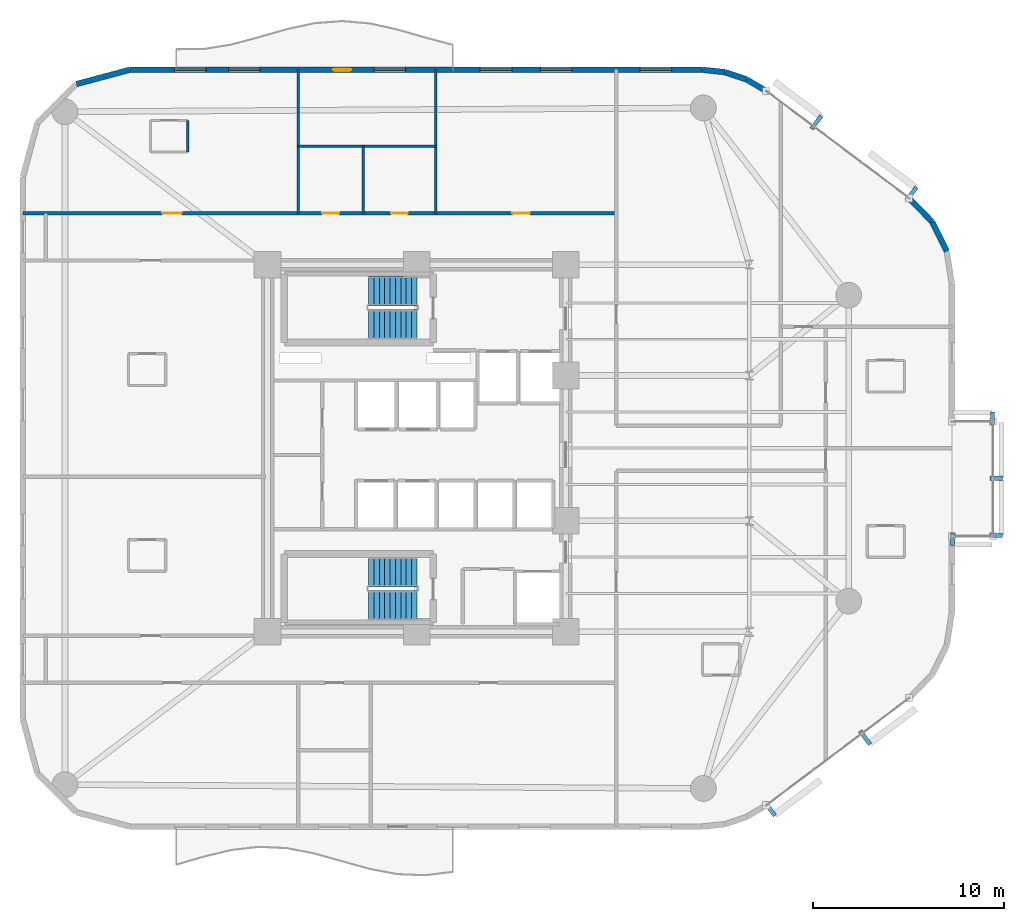
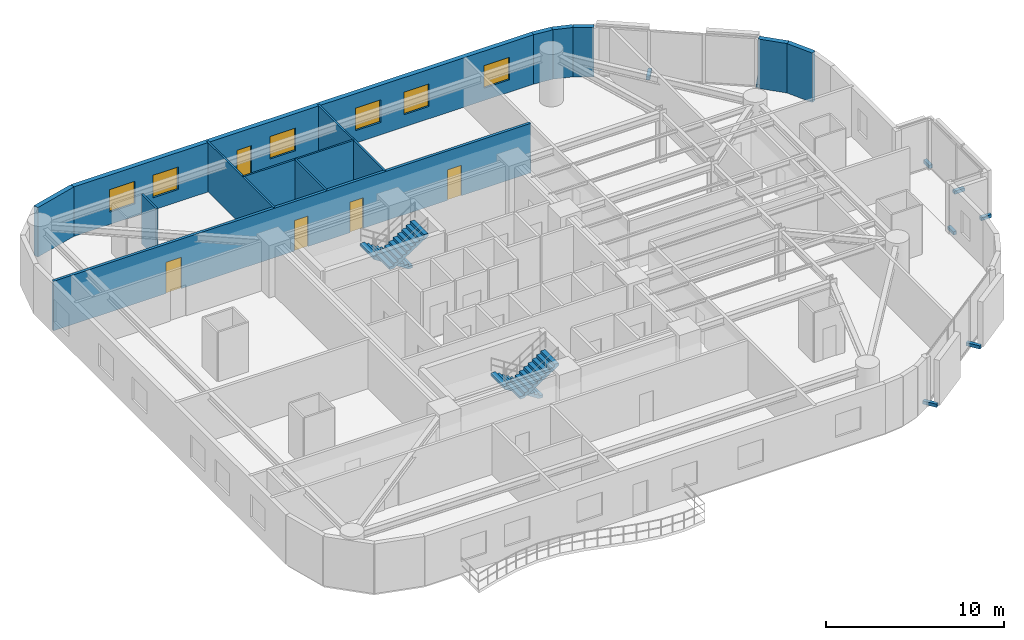
# One storey, part 11 of 14: 13 walls, 8 discrete accessories, 6 windows, 5 doors, 4 stair flights, 11 openings, 2 elements without a shape of their own.
"""IFC4 building model written with IfcOpenShell, lengths in metres."""

from ifc_helpers import new_model, si_unit, direction, frame, frame_2d, origin, origin_2d, place, context, subcontext, project, spatial, polyline, rectangle, outline, extrude, material, layer, layer_set, type_object, element, fill, aggregate, save


model = new_model("IFC4")

# Units and contexts
model_context = context("Model", 3, precision=1e-05, world=origin(), true_north=direction((0.0, 1.0)))
body_context = subcontext(model_context, "Body", "Model", "MODEL_VIEW")
ifc_project = project(units=[si_unit("LENGTHUNIT", "METRE"), si_unit("AREAUNIT", "SQUARE_METRE"), si_unit("VOLUMEUNIT", "CUBIC_METRE"), si_unit("PLANEANGLEUNIT", "RADIAN"), si_unit("MASSUNIT", "GRAM", prefix="KILO")], contexts=[model_context])

# Site, building, storey
site_placement = place(None, origin())
site = spatial("IfcSite", under=ifc_project, at=site_placement, CompositionType="ELEMENT")
building_placement = place(site_placement, origin())
building = spatial("IfcBuilding", under=site, at=building_placement, Name="An Khanh Terracotta Commons", CompositionType="ELEMENT")
storey_placement = place(building_placement, frame((0.0, 0.0, 104.300048828125)))
storey = spatial("IfcBuildingStorey", under=building, at=storey_placement, Name="L27", CompositionType="ELEMENT", Elevation=104.300048828125)

# Wall, openings, doors
ifc_material_1 = material(Name="Fire-Rated Gypsum Board on Steel Stud", Category="steel")
ifc_layer_1 = layer(ifc_material_1, 0.179931640625, Name="Fire-Rated Gypsum Board on Steel Stud")
ifc_layer_set_1 = layer_set([ifc_layer_1], Name="Fire-Rated Gypsum Board on Steel Stud")
wall_type_1 = type_object("IfcWallType", Name="WALL-CORR-180", PredefinedType="PARTITIONING", material=ifc_layer_set_1)
wall_1_placement = place(storey_placement, frame((8.800048828125, 36.280029296875, 0.0), z_axis=(0.0, 0.0, 1.0), x_axis=(1.0, 0.0, 0.0)))
wall_1 = element("IfcWall", 1, at=wall_1_placement, inside=storey, type_object=wall_type_1, Name="L27 Interior Partition IW-L27-E010", PredefinedType="PARTITIONING", context=body_context, shape_type="SweptSolid", body=[
    extrude(rectangle(XDim=31.050048828125, YDim=0.179931640625, at=frame_2d((15.52490234375, 0.0))), origin(), (0.0, 0.0, 1.0), 3.39990234375),
])
opening_1_placement = place(wall_1_placement, frame((15.64990234375, 0.0, 0.0)))
opening_1 = element("IfcOpeningElement", 2, at=opening_1_placement, cuts=wall_1, Name="Opening D-WC", PredefinedType="OPENING", context=body_context, shape_type="SweptSolid", body=[
    extrude(rectangle(XDim=0.89990234375, YDim=2.10009765625, at=frame_2d((0.449951171875, 1.050048828125))), frame((0.0, 0.099853515625, 0.0), z_axis=(0.0, -1.0, 0.0), x_axis=(1.0, 0.0, 0.0)), (0.0, 0.0, 1.0), 0.199951171875),
])
opening_2_placement = place(wall_1_placement, frame((19.27001953125, 0.0, 0.0)))
opening_2 = element("IfcOpeningElement", 3, at=opening_2_placement, cuts=wall_1, Name="Opening D-ENS", PredefinedType="OPENING", context=body_context, shape_type="SweptSolid", body=[
    extrude(rectangle(XDim=0.860107421875, YDim=2.10009765625, at=frame_2d((0.43017578125, 1.050048828125))), frame((0.0, 0.099853515625, 0.0), z_axis=(0.0, -1.0, 0.0), x_axis=(1.0, 0.0, 0.0)), (0.0, 0.0, 1.0), 0.199951171875),
])
opening_3_placement = place(wall_1_placement, frame((7.300048828125, 0.0, 0.0)))
opening_3 = element("IfcOpeningElement", 4, at=opening_3_placement, cuts=wall_1, Name="Opening D-UN", PredefinedType="OPENING", context=body_context, shape_type="SweptSolid", body=[
    extrude(rectangle(XDim=1.0, YDim=2.14990234375, at=frame_2d((0.5, 1.074951171875))), frame((0.0, 0.099853515625, 0.0), z_axis=(0.0, -1.0, 0.0), x_axis=(1.0, 0.0, 0.0)), (0.0, 0.0, 1.0), 0.199951171875),
])
opening_4_placement = place(wall_1_placement, frame((25.60498046875, 0.0, 0.0)))
opening_4 = element("IfcOpeningElement", 5, at=opening_4_placement, cuts=wall_1, Name="Opening D-RM", PredefinedType="OPENING", context=body_context, shape_type="SweptSolid", body=[
    extrude(rectangle(XDim=0.919921875, YDim=2.10009765625, at=frame_2d((0.4599609375, 1.050048828125))), frame((0.0, 0.099853515625, 0.0), z_axis=(0.0, -1.0, 0.0), x_axis=(1.0, 0.0, 0.0)), (0.0, 0.0, 1.0), 0.199951171875),
])
ifc_material_2 = material(Name="Moisture-Resistant Hardwood Timber Leaf", Category="wood")
door_type_1 = type_object("IfcDoorType", Name="DOOR-BATH-860", OperationType="NOTDEFINED", PredefinedType="DOOR", material=ifc_material_2)
door_1_placement = place(opening_2_placement, origin())
door_1 = element("IfcDoor", 6, at=door_1_placement, inside=storey, type_object=door_type_1, Name="L27 SHW Resident Shared Shower and Washroom Door", OperationType="SINGLE_SWING_RIGHT", OverallHeight=2.10009765625, OverallWidth=0.860107421875, PredefinedType="DOOR", context=body_context, shape_type="SweptSolid", body=[
    extrude(rectangle(XDim=0.860107421875, YDim=2.10009765625, at=frame_2d((0.43017578125, 1.050048828125))), frame((0.0, 0.02490234375, 0.0), z_axis=(0.0, -1.0, 0.0), x_axis=(1.0, 0.0, 0.0)), (0.0, 0.0, 1.0), 0.050048828125),
])
fill(opening_2, door_1)
ifc_material_3 = material(Name="Engineered Hardwood Timber Leaf", Category="wood")
door_type_2 = type_object("IfcDoorType", Name="DOOR-INT-920", OperationType="NOTDEFINED", PredefinedType="DOOR", material=ifc_material_3)
door_2_placement = place(opening_4_placement, origin())
door_2 = element("IfcDoor", 7, at=door_2_placement, inside=storey, type_object=door_type_2, Name="L27 NWE Quiet Focus Office Door", OperationType="SINGLE_SWING_RIGHT", OverallHeight=2.10009765625, OverallWidth=0.919921875, PredefinedType="DOOR", context=body_context, shape_type="SweptSolid", body=[
    extrude(rectangle(XDim=0.919921875, YDim=2.10009765625, at=frame_2d((0.4599609375, 1.050048828125))), frame((0.0, 0.02490234375, 0.0), z_axis=(0.0, -1.0, 0.0), x_axis=(1.0, 0.0, 0.0)), (0.0, 0.0, 1.0), 0.050048828125),
])
fill(opening_4, door_2)
ifc_material_4 = material(Name="Solid-Core Hardwood Acoustic Fire Door", Category="wood")
door_type_3 = type_object("IfcDoorType", Name="DOOR-UNIT-1000", OperationType="NOTDEFINED", PredefinedType="DOOR", material=ifc_material_4)
door_3_placement = place(opening_3_placement, origin())
door_3 = element("IfcDoor", 8, at=door_3_placement, inside=storey, type_object=door_type_3, Name="L27 NW1 Kitchenette and Studio Apartment Door", OperationType="SINGLE_SWING_LEFT", OverallHeight=2.14990234375, OverallWidth=1.0, PredefinedType="DOOR", context=body_context, shape_type="SweptSolid", body=[
    extrude(rectangle(XDim=1.0, YDim=2.14990234375, at=frame_2d((0.5, 1.074951171875))), frame((0.0, 0.02490234375, 0.0), z_axis=(0.0, -1.0, 0.0), x_axis=(1.0, 0.0, 0.0)), (0.0, 0.0, 1.0), 0.050048828125),
])
fill(opening_3, door_3)
ifc_material_5 = material(Name="Laminate Moisture-Resistant Timber Leaf", Category="wood")
door_type_4 = type_object("IfcDoorType", Name="DOOR-WC-900", OperationType="NOTDEFINED", PredefinedType="DOOR", material=ifc_material_5)
door_4_placement = place(opening_1_placement, origin())
door_4 = element("IfcDoor", 9, at=door_4_placement, inside=storey, type_object=door_type_4, Name="L27 AWC Accessible WC Door", OperationType="SINGLE_SWING_LEFT", OverallHeight=2.10009765625, OverallWidth=0.89990234375, PredefinedType="DOOR", context=body_context, shape_type="SweptSolid", body=[
    extrude(rectangle(XDim=0.89990234375, YDim=2.10009765625, at=frame_2d((0.449951171875, 1.050048828125))), frame((0.0, 0.02490234375, 0.0), z_axis=(0.0, -1.0, 0.0), x_axis=(1.0, 0.0, 0.0)), (0.0, 0.0, 1.0), 0.050048828125),
])
fill(opening_1, door_4)

# Walls
ifc_material_6 = material(Name="Precast concrete C40/50", Category="concrete")
ifc_layer_2 = layer(ifc_material_6, 0.300048828125, Name="Precast concrete C40/50")
ifc_layer_set_2 = layer_set([ifc_layer_2], Name="Precast concrete C40/50")
wall_type_2 = type_object("IfcWallType", Name="WALL-EXT-300", PredefinedType="SOLIDWALL", material=ifc_layer_set_2)
for number, where, z_axis, x_axis, name in (
    (10, (57.135009765625, 34.303955078125, 0.0), (0.0, 0.0, 1.0), (-0.4472135955, 0.894427191, 0.0), "L27 Insulated Terracotta Exterior Wall 14"),
    (11, (56.364013671875, 35.845947265625, 0.0), (0.0, 0.0, 1.0), (-0.6983450845, 0.715761233201, 0.0), "L27 Insulated Terracotta Exterior Wall 15"),
):
    element("IfcWall", number, at=place(storey_placement, frame(where, z_axis=z_axis, x_axis=x_axis)), inside=storey, type_object=wall_type_2, Name=name, PredefinedType="SOLIDWALL", context=body_context, shape_type="SweptSolid", body=[
        extrude(rectangle(XDim=1.72412109375, YDim=0.300048828125, at=frame_2d((0.862060546875, 0.0))), origin(), (0.0, 0.0, 1.0), 3.39990234375),
    ])
wall_2_placement = place(storey_placement, frame((47.693115234375, 42.679931640625, 0.0), z_axis=(0.0, 0.0, 1.0), x_axis=(-0.859320591642, 0.511437308749, 0.0)))
element("IfcWall", 12, at=wall_2_placement, inside=storey, type_object=wall_type_2, Name="L27 Insulated Terracotta Exterior Wall 17", PredefinedType="SOLIDWALL", context=body_context, shape_type="SweptSolid", body=[
    extrude(rectangle(XDim=1.19873046875, YDim=0.300048828125, at=frame_2d((0.599365234375, 0.0))), origin(), (0.0, 0.0, 1.0), 3.39990234375),
])
wall_3_placement = place(storey_placement, frame((46.6630859375, 43.29296875, 0.0), z_axis=(0.0, 0.0, 1.0), x_axis=(-0.948744332129, 0.316044604847, 0.0)))
element("IfcWall", 13, at=wall_3_placement, inside=storey, type_object=wall_type_2, Name="L27 Insulated Terracotta Exterior Wall 18", PredefinedType="SOLIDWALL", context=body_context, shape_type="SweptSolid", body=[
    extrude(rectangle(XDim=1.19970703125, YDim=0.300048828125, at=frame_2d((0.599853515625, 0.0))), origin(), (0.0, 0.0, 1.0), 3.39990234375),
])
wall_4_placement = place(storey_placement, frame((45.52490234375, 43.672119140625, 0.0), z_axis=(0.0, 0.0, 1.0), x_axis=(-0.994289103787, 0.106720092254, 0.0)))
element("IfcWall", 14, at=wall_4_placement, inside=storey, type_object=wall_type_2, Name="L27 Insulated Terracotta Exterior Wall 19", PredefinedType="SOLIDWALL", context=body_context, shape_type="SweptSolid", body=[
    extrude(rectangle(XDim=1.19873046875, YDim=0.300048828125, at=frame_2d((0.599365234375, 0.0))), origin(), (0.0, 0.0, 1.0), 3.39990234375),
])

# Wall, openings, door, windows
wall_5_placement = place(storey_placement, frame((44.3330078125, 43.800048828125, 0.0), z_axis=(0.0, 0.0, 1.0), x_axis=(-1.0, 0.0, 0.0)))
wall_5 = element("IfcWall", 15, at=wall_5_placement, inside=storey, type_object=wall_type_2, Name="L27 Insulated Terracotta Exterior Wall 20", PredefinedType="SOLIDWALL", context=body_context, shape_type="SweptSolid", body=[
    extrude(rectangle(XDim=29.93310546875, YDim=0.300048828125, at=frame_2d((14.966552734375, 0.0))), origin(), (0.0, 0.0, 1.0), 3.39990234375),
])
opening_5_placement = place(wall_5_placement, frame((18.35791015625, 0.0, 0.0)))
opening_5 = element("IfcOpeningElement", 16, at=opening_5_placement, cuts=wall_5, Name="Opening D-BAL", PredefinedType="OPENING", context=body_context, shape_type="SweptSolid", body=[
    extrude(rectangle(XDim=0.949951171875, YDim=2.199951171875, at=frame_2d((0.47509765625, 1.10009765625))), frame((0.0, 0.159912109375, 0.0), z_axis=(0.0, -1.0, 0.0), x_axis=(1.0, 0.0, 0.0)), (0.0, 0.0, 1.0), 0.320068359375),
])
opening_6_placement = place(wall_5_placement, frame((1.591064453125, 0.0, 0.85009765625)))
opening_6 = element("IfcOpeningElement", 17, at=opening_6_placement, cuts=wall_5, Name="Opening W-02", PredefinedType="OPENING", context=body_context, shape_type="SweptSolid", body=[
    extrude(rectangle(XDim=1.64990234375, YDim=1.550048828125, at=frame_2d((0.824951171875, 0.77490234375))), frame((0.0, 0.159912109375, 0.0), z_axis=(0.0, -1.0, 0.0), x_axis=(1.0, 0.0, 0.0)), (0.0, 0.0, 1.0), 0.320068359375),
])
opening_7_placement = place(wall_5_placement, frame((6.80810546875, 0.0, 0.85009765625)))
opening_7 = element("IfcOpeningElement", 18, at=opening_7_placement, cuts=wall_5, Name="Opening W-02", PredefinedType="OPENING", context=body_context, shape_type="SweptSolid", body=[
    extrude(rectangle(XDim=1.64990234375, YDim=1.550048828125, at=frame_2d((0.824951171875, 0.77490234375))), frame((0.0, 0.159912109375, 0.0), z_axis=(0.0, -1.0, 0.0), x_axis=(1.0, 0.0, 0.0)), (0.0, 0.0, 1.0), 0.320068359375),
])
opening_8_placement = place(wall_5_placement, frame((9.9580078125, 0.0, 0.85009765625)))
opening_8 = element("IfcOpeningElement", 19, at=opening_8_placement, cuts=wall_5, Name="Opening W-02", PredefinedType="OPENING", context=body_context, shape_type="SweptSolid", body=[
    extrude(rectangle(XDim=1.64990234375, YDim=1.550048828125, at=frame_2d((0.824951171875, 0.77490234375))), frame((0.0, 0.159912109375, 0.0), z_axis=(0.0, -1.0, 0.0), x_axis=(1.0, 0.0, 0.0)), (0.0, 0.0, 1.0), 0.320068359375),
])
opening_9_placement = place(wall_5_placement, frame((15.508056640625, 0.0, 0.85009765625)))
opening_9 = element("IfcOpeningElement", 20, at=opening_9_placement, cuts=wall_5, Name="Opening W-02", PredefinedType="OPENING", context=body_context, shape_type="SweptSolid", body=[
    extrude(rectangle(XDim=1.64990234375, YDim=1.550048828125, at=frame_2d((0.824951171875, 0.77490234375))), frame((0.0, 0.159912109375, 0.0), z_axis=(0.0, -1.0, 0.0), x_axis=(1.0, 0.0, 0.0)), (0.0, 0.0, 1.0), 0.320068359375),
])
opening_10_placement = place(wall_5_placement, frame((23.125, 0.0, 0.85009765625)))
opening_10 = element("IfcOpeningElement", 21, at=opening_10_placement, cuts=wall_5, Name="Opening W-02", PredefinedType="OPENING", context=body_context, shape_type="SweptSolid", body=[
    extrude(rectangle(XDim=1.64990234375, YDim=1.550048828125, at=frame_2d((0.824951171875, 0.77490234375))), frame((0.0, 0.159912109375, 0.0), z_axis=(0.0, -1.0, 0.0), x_axis=(1.0, 0.0, 0.0)), (0.0, 0.0, 1.0), 0.320068359375),
])
opening_11_placement = place(wall_5_placement, frame((25.94091796875, 0.0, 0.85009765625)))
opening_11 = element("IfcOpeningElement", 22, at=opening_11_placement, cuts=wall_5, Name="Opening W-02", PredefinedType="OPENING", context=body_context, shape_type="SweptSolid", body=[
    extrude(rectangle(XDim=1.64990234375, YDim=1.550048828125, at=frame_2d((0.824951171875, 0.77490234375))), frame((0.0, 0.159912109375, 0.0), z_axis=(0.0, -1.0, 0.0), x_axis=(1.0, 0.0, 0.0)), (0.0, 0.0, 1.0), 0.320068359375),
])
ifc_material_7 = material(Name="Thermally Broken Aluminium and Low-E Glass", Category="aluminium")
door_type_5 = type_object("IfcDoorType", Name="DOOR-BALC-950", OperationType="NOTDEFINED", PredefinedType="DOOR", material=ifc_material_7)
door_5_placement = place(opening_5_placement, origin())
door_5 = element("IfcDoor", 23, at=door_5_placement, inside=storey, type_object=door_type_5, Name="L27 N Wave Balcony Glazed Door", OperationType="SINGLE_SWING_RIGHT", OverallHeight=2.199951171875, OverallWidth=0.949951171875, PredefinedType="DOOR", context=body_context, shape_type="SweptSolid", body=[
    extrude(rectangle(XDim=0.949951171875, YDim=2.199951171875, at=frame_2d((0.47509765625, 1.10009765625))), frame((0.0, 0.02490234375, 0.0), z_axis=(0.0, -1.0, 0.0), x_axis=(1.0, 0.0, 0.0)), (0.0, 0.0, 1.0), 0.050048828125),
])
fill(opening_5, door_5)
window_type = type_object("IfcWindowType", Name="WIN-Z2-1650x1550", PartitioningType="DOUBLE_PANEL_VERTICAL", PredefinedType="WINDOW", material=ifc_material_7)
window_1_placement = place(opening_6_placement, origin())
window_1 = element("IfcWindow", 24, at=window_1_placement, inside=storey, type_object=window_type, Name="L27 Operable Casement Window 20.1", OverallHeight=1.550048828125, OverallWidth=1.64990234375, PartitioningType="DOUBLE_PANEL_VERTICAL", PredefinedType="WINDOW", context=body_context, shape_type="SweptSolid", body=[
    extrude(rectangle(XDim=1.64990234375, YDim=1.550048828125, at=frame_2d((0.824951171875, 0.77490234375))), frame((0.0, 0.030029296875, 0.0), z_axis=(0.0, -1.0, 0.0), x_axis=(1.0, 0.0, 0.0)), (0.0, 0.0, 1.0), 0.06005859375),
])
fill(opening_6, window_1)
window_2_placement = place(opening_7_placement, origin())
window_2 = element("IfcWindow", 25, at=window_2_placement, inside=storey, type_object=window_type, Name="L27 Operable Casement Window 20.2", OverallHeight=1.550048828125, OverallWidth=1.64990234375, PartitioningType="DOUBLE_PANEL_VERTICAL", PredefinedType="WINDOW", context=body_context, shape_type="SweptSolid", body=[
    extrude(rectangle(XDim=1.64990234375, YDim=1.550048828125, at=frame_2d((0.824951171875, 0.77490234375))), frame((0.0, 0.030029296875, 0.0), z_axis=(0.0, -1.0, 0.0), x_axis=(1.0, 0.0, 0.0)), (0.0, 0.0, 1.0), 0.06005859375),
])
fill(opening_7, window_2)
window_3_placement = place(opening_8_placement, origin())
window_3 = element("IfcWindow", 26, at=window_3_placement, inside=storey, type_object=window_type, Name="L27 Operable Casement Window 20.3", OverallHeight=1.550048828125, OverallWidth=1.64990234375, PartitioningType="DOUBLE_PANEL_VERTICAL", PredefinedType="WINDOW", context=body_context, shape_type="SweptSolid", body=[
    extrude(rectangle(XDim=1.64990234375, YDim=1.550048828125, at=frame_2d((0.824951171875, 0.77490234375))), frame((0.0, 0.030029296875, 0.0), z_axis=(0.0, -1.0, 0.0), x_axis=(1.0, 0.0, 0.0)), (0.0, 0.0, 1.0), 0.06005859375),
])
fill(opening_8, window_3)
window_4_placement = place(opening_9_placement, origin())
window_4 = element("IfcWindow", 27, at=window_4_placement, inside=storey, type_object=window_type, Name="L27 Operable Casement Window 20.4", OverallHeight=1.550048828125, OverallWidth=1.64990234375, PartitioningType="DOUBLE_PANEL_VERTICAL", PredefinedType="WINDOW", context=body_context, shape_type="SweptSolid", body=[
    extrude(rectangle(XDim=1.64990234375, YDim=1.550048828125, at=frame_2d((0.824951171875, 0.77490234375))), frame((0.0, 0.030029296875, 0.0), z_axis=(0.0, -1.0, 0.0), x_axis=(1.0, 0.0, 0.0)), (0.0, 0.0, 1.0), 0.06005859375),
])
fill(opening_9, window_4)
window_5_placement = place(opening_10_placement, origin())
window_5 = element("IfcWindow", 28, at=window_5_placement, inside=storey, type_object=window_type, Name="L27 Operable Casement Window 20.5", OverallHeight=1.550048828125, OverallWidth=1.64990234375, PartitioningType="DOUBLE_PANEL_VERTICAL", PredefinedType="WINDOW", context=body_context, shape_type="SweptSolid", body=[
    extrude(rectangle(XDim=1.64990234375, YDim=1.550048828125, at=frame_2d((0.824951171875, 0.77490234375))), frame((0.0, 0.030029296875, 0.0), z_axis=(0.0, -1.0, 0.0), x_axis=(1.0, 0.0, 0.0)), (0.0, 0.0, 1.0), 0.06005859375),
])
fill(opening_10, window_5)
window_6_placement = place(opening_11_placement, origin())
window_6 = element("IfcWindow", 29, at=window_6_placement, inside=storey, type_object=window_type, Name="L27 Operable Casement Window 20.6", OverallHeight=1.550048828125, OverallWidth=1.64990234375, PartitioningType="DOUBLE_PANEL_VERTICAL", PredefinedType="WINDOW", context=body_context, shape_type="SweptSolid", body=[
    extrude(rectangle(XDim=1.64990234375, YDim=1.550048828125, at=frame_2d((0.824951171875, 0.77490234375))), frame((0.0, 0.030029296875, 0.0), z_axis=(0.0, -1.0, 0.0), x_axis=(1.0, 0.0, 0.0)), (0.0, 0.0, 1.0), 0.06005859375),
])
fill(opening_11, window_6)

# Walls
wall_6_placement = place(storey_placement, frame((14.39990234375, 43.800048828125, 0.0), z_axis=(0.0, 0.0, 1.0), x_axis=(-0.965943540406, -0.258752926066, 0.0)))
element("IfcWall", 30, at=wall_6_placement, inside=storey, type_object=wall_type_2, Name="L27 Insulated Terracotta Exterior Wall 21", PredefinedType="SOLIDWALL", context=body_context, shape_type="SweptSolid", body=[
    extrude(rectangle(XDim=2.8984375, YDim=0.300048828125, at=frame_2d((1.44921875, 0.0))), origin(), (0.0, 0.0, 1.0), 3.39990234375),
])
ifc_material_8 = material(Name="Moisture-Resistant Cement Board Partition")
ifc_layer_3 = layer(ifc_material_8, 0.1201171875, Name="Moisture-Resistant Cement Board Partition")
ifc_layer_set_3 = layer_set([ifc_layer_3], Name="Moisture-Resistant Cement Board Partition")
wall_type_3 = type_object("IfcWallType", Name="WALL-WET-120", PredefinedType="PARTITIONING", material=ifc_layer_set_3)
wall_7_placement = place(storey_placement, frame((17.424072265625, 39.491943359375, 0.0), z_axis=(0.0, 0.0, 1.0), x_axis=(0.0, 1.0, 0.0)))
element("IfcWall", 31, at=wall_7_placement, inside=storey, type_object=wall_type_3, Name="L27 Interior Partition IW-L27-NW1-BE", PredefinedType="PARTITIONING", context=body_context, shape_type="SweptSolid", body=[
    extrude(rectangle(XDim=1.650146484375, YDim=0.1201171875, at=frame_2d((0.8251953125, 0.0))), origin(), (0.0, 0.0, 1.0), 3.39990234375),
])
wall_8_placement = place(storey_placement, frame((23.199951171875, 39.800048828125, 0.0), z_axis=(0.0, 0.0, 1.0), x_axis=(1.0, 0.0, 0.0)))
element("IfcWall", 32, at=wall_8_placement, inside=storey, type_object=wall_type_3, Name="L27 Interior Partition IW-L27-E011", PredefinedType="PARTITIONING", context=body_context, shape_type="SweptSolid", body=[
    extrude(rectangle(XDim=7.199951171875, YDim=0.1201171875, at=frame_2d((3.60009765625, 0.0))), origin(), (0.0, 0.0, 1.0), 3.39990234375),
])
wall_9_placement = place(storey_placement, frame((23.199951171875, 36.280029296875, 0.0), z_axis=(0.0, 0.0, 1.0), x_axis=(0.0, 1.0, 0.0)))
element("IfcWall", 33, at=wall_9_placement, inside=storey, type_object=wall_type_3, Name="L27 Interior Partition IW-L27-E015", PredefinedType="PARTITIONING", context=body_context, shape_type="SweptSolid", body=[
    extrude(rectangle(XDim=7.52001953125, YDim=0.1201171875, at=frame_2d((3.760009765625, 0.0))), origin(), (0.0, 0.0, 1.0), 3.39990234375),
])
wall_10_placement = place(storey_placement, frame((26.60009765625, 36.280029296875, 0.0), z_axis=(0.0, 0.0, 1.0), x_axis=(0.0, 1.0, 0.0)))
element("IfcWall", 34, at=wall_10_placement, inside=storey, type_object=wall_type_3, Name="L27 Interior Partition IW-L27-E016", PredefinedType="PARTITIONING", context=body_context, shape_type="SweptSolid", body=[
    extrude(rectangle(XDim=3.52001953125, YDim=0.1201171875, at=frame_2d((1.760009765625, 0.0))), origin(), (0.0, 0.0, 1.0), 3.39990234375),
])
wall_11_placement = place(storey_placement, frame((30.39990234375, 36.280029296875, 0.0), z_axis=(0.0, 0.0, 1.0), x_axis=(0.0, 1.0, 0.0)))
element("IfcWall", 35, at=wall_11_placement, inside=storey, type_object=wall_type_3, Name="L27 Interior Partition IW-L27-E018", PredefinedType="PARTITIONING", context=body_context, shape_type="SweptSolid", body=[
    extrude(rectangle(XDim=7.52001953125, YDim=0.1201171875, at=frame_2d((3.760009765625, 0.0))), origin(), (0.0, 0.0, 1.0), 3.39990234375),
])

# Stair, stair flights
stair_type = type_object("IfcStairType", Name="STAIR-CORE-1550", PredefinedType="HALF_TURN_STAIR", material=ifc_material_6)
stair_1_placement = place(storey_placement, origin())
stair_1 = element("IfcStair", 36, at=stair_1_placement, inside=storey, type_object=stair_type, Name="L27 Core Smokeproof Exit Stair ST-01", PredefinedType="HALF_TURN_STAIR")
stair_flight_type = type_object("IfcStairFlightType", Name="FLIGHT-CORE-1550", PredefinedType="STRAIGHT", material=ifc_material_6)
stair_flight_1_placement = place(storey_placement, frame((29.409912109375, 32.22509765625, 0.0), z_axis=(0.0, 0.0, 1.0), x_axis=(-1.0, 0.0, 0.0)))
stair_flight_1 = element("IfcStairFlight", 37, at=stair_flight_1_placement, type_object=stair_flight_type, Name="ST-01 flight 1", NumberOfRisers=10, NumberOfTreads=9, PredefinedType="STRAIGHT", RiserHeight=0.18, TreadLength=0.28, context=body_context, shape_type="SweptSolid", body=[
    extrude(outline(polyline([(0.0, 0.0), (0.0, 0.179931640625), (0.280029296875, 0.179931640625), (0.280029296875, 0.360107421875), (0.56005859375, 0.360107421875), (0.56005859375, 0.5400390625), (0.840087890625, 0.5400390625), (0.840087890625, 0.719970703125), (1.1201171875, 0.719970703125), (1.1201171875, 0.89990234375), (1.39990234375, 0.89990234375), (1.39990234375, 1.080078125), (1.679931640625, 1.080078125), (1.679931640625, 1.260009765625), (1.9599609375, 1.260009765625), (1.9599609375, 1.43994140625), (2.239990234375, 1.43994140625), (2.239990234375, 1.6201171875), (2.52001953125, 1.6201171875), (2.52001953125, 1.800048828125), (2.52001953125, 1.44189453125), (0.277099609375, 0.0), (0.0, 0.0)])), frame((0.0, 0.77490234375, 0.0), z_axis=(0.0, -1.0, 0.0), x_axis=(1.0, 0.0, 0.0)), (0.0, 0.0, 1.0), 1.550048828125),
])
stair_flight_2_placement = place(storey_placement, frame((26.889892578125, 30.47509765625, 1.800048828125), z_axis=(0.0, 0.0, 1.0), x_axis=(1.0, 0.0, 0.0)))
stair_flight_2 = element("IfcStairFlight", 38, at=stair_flight_2_placement, type_object=stair_flight_type, Name="ST-01 flight 2", NumberOfRisers=10, NumberOfTreads=9, PredefinedType="STRAIGHT", RiserHeight=0.18, TreadLength=0.28, context=body_context, shape_type="SweptSolid", body=[
    extrude(outline(polyline([(0.0, 0.0), (0.0, 0.179931640625), (0.280029296875, 0.179931640625), (0.280029296875, 0.360107421875), (0.56005859375, 0.360107421875), (0.56005859375, 0.5400390625), (0.840087890625, 0.5400390625), (0.840087890625, 0.719970703125), (1.1201171875, 0.719970703125), (1.1201171875, 0.89990234375), (1.39990234375, 0.89990234375), (1.39990234375, 1.080078125), (1.679931640625, 1.080078125), (1.679931640625, 1.260009765625), (1.9599609375, 1.260009765625), (1.9599609375, 1.43994140625), (2.239990234375, 1.43994140625), (2.239990234375, 1.6201171875), (2.52001953125, 1.6201171875), (2.52001953125, 1.800048828125), (2.52001953125, 1.44189453125), (0.277099609375, 0.0), (0.0, 0.0)])), frame((0.0, 0.77490234375, 0.0), z_axis=(0.0, -1.0, 0.0), x_axis=(1.0, 0.0, 0.0)), (0.0, 0.0, 1.0), 1.550048828125),
])
aggregate(stair_1, [stair_flight_1, stair_flight_2])

stair_2_placement = place(storey_placement, origin())
stair_2 = element("IfcStair", 39, at=stair_2_placement, inside=storey, type_object=stair_type, Name="L27 Core Smokeproof Exit Stair ST-02", PredefinedType="HALF_TURN_STAIR")
stair_flight_3_placement = place(storey_placement, frame((29.409912109375, 17.52490234375, 0.0), z_axis=(0.0, 0.0, 1.0), x_axis=(-1.0, 0.0, 0.0)))
stair_flight_3 = element("IfcStairFlight", 40, at=stair_flight_3_placement, type_object=stair_flight_type, Name="ST-02 flight 1", NumberOfRisers=10, NumberOfTreads=9, PredefinedType="STRAIGHT", RiserHeight=0.18, TreadLength=0.28, context=body_context, shape_type="SweptSolid", body=[
    extrude(outline(polyline([(0.0, 0.0), (0.0, 0.179931640625), (0.280029296875, 0.179931640625), (0.280029296875, 0.360107421875), (0.56005859375, 0.360107421875), (0.56005859375, 0.5400390625), (0.840087890625, 0.5400390625), (0.840087890625, 0.719970703125), (1.1201171875, 0.719970703125), (1.1201171875, 0.89990234375), (1.39990234375, 0.89990234375), (1.39990234375, 1.080078125), (1.679931640625, 1.080078125), (1.679931640625, 1.260009765625), (1.9599609375, 1.260009765625), (1.9599609375, 1.43994140625), (2.239990234375, 1.43994140625), (2.239990234375, 1.6201171875), (2.52001953125, 1.6201171875), (2.52001953125, 1.800048828125), (2.52001953125, 1.44189453125), (0.277099609375, 0.0), (0.0, 0.0)])), frame((0.0, 0.77490234375, 0.0), z_axis=(0.0, -1.0, 0.0), x_axis=(1.0, 0.0, 0.0)), (0.0, 0.0, 1.0), 1.550048828125),
])
stair_flight_4_placement = place(storey_placement, frame((26.889892578125, 15.77490234375, 1.800048828125), z_axis=(0.0, 0.0, 1.0), x_axis=(1.0, 0.0, 0.0)))
stair_flight_4 = element("IfcStairFlight", 41, at=stair_flight_4_placement, type_object=stair_flight_type, Name="ST-02 flight 2", NumberOfRisers=10, NumberOfTreads=9, PredefinedType="STRAIGHT", RiserHeight=0.18, TreadLength=0.28, context=body_context, shape_type="SweptSolid", body=[
    extrude(outline(polyline([(0.0, 0.0), (0.0, 0.179931640625), (0.280029296875, 0.179931640625), (0.280029296875, 0.360107421875), (0.56005859375, 0.360107421875), (0.56005859375, 0.5400390625), (0.840087890625, 0.5400390625), (0.840087890625, 0.719970703125), (1.1201171875, 0.719970703125), (1.1201171875, 0.89990234375), (1.39990234375, 0.89990234375), (1.39990234375, 1.080078125), (1.679931640625, 1.080078125), (1.679931640625, 1.260009765625), (1.9599609375, 1.260009765625), (1.9599609375, 1.43994140625), (2.239990234375, 1.43994140625), (2.239990234375, 1.6201171875), (2.52001953125, 1.6201171875), (2.52001953125, 1.800048828125), (2.52001953125, 1.44189453125), (0.277099609375, 0.0), (0.0, 0.0)])), frame((0.0, 0.77490234375, 0.0), z_axis=(0.0, -1.0, 0.0), x_axis=(1.0, 0.0, 0.0)), (0.0, 0.0, 1.0), 1.550048828125),
])
aggregate(stair_2, [stair_flight_3, stair_flight_4])

# Discrete accessories
ifc_material_9 = material(Name="Stainless Steel Grade 316L", Category="steel")
discrete_accessory_type = type_object("IfcDiscreteAccessoryType", Name="Stainless Outrigger Facade Bracket", PredefinedType="BRACKET", material=ifc_material_9)
for number, where, z_axis, x_axis, name in (
    (42, (47.8798828125, 5.12890625, 0.06982421875), (0.0, 0.0, 1.0), (0.800012856594, 0.599982857492, 0.0), "L27 Terracotta Screen Outrigger Bracket 1"),
    (43, (52.85791015625, 8.862060546875, 0.06982421875), (0.0, 0.0, 1.0), (0.800012856594, 0.599982857492, 0.0), "L27 Terracotta Screen Outrigger Bracket 3"),
):
    element("IfcDiscreteAccessory", number, at=place(storey_placement, frame(where, z_axis=z_axis, x_axis=x_axis)), inside=storey, type_object=discrete_accessory_type, Name=name, PredefinedType="BRACKET", context=body_context, shape_type="SweptSolid", body=[
        extrude(rectangle(XDim=0.219970703125, YDim=0.8701171875, at=origin_2d()), origin(), (0.0, 0.0, 1.0), 0.219970703125),
    ])
for number, where, z_axis, x_axis, name in (
    (44, (59.715087890625, 19.431884765625, 0.06982421875), (0.0, 0.0, 1.0), (0.0, 1.0, 0.0), "L27 Terracotta Screen Outrigger Bracket 1"),
    (45, (59.715087890625, 22.431884765625, 0.06982421875), (0.0, 0.0, 1.0), (0.0, 1.0, 0.0), "L27 Terracotta Screen Outrigger Bracket 2"),
    (46, (57.431884765625, 19.235107421875, 0.06982421875), (0.0, 0.0, 1.0), (1.0, 0.0, 0.0), "L27 Terracotta Screen Outrigger Bracket 1"),
    (47, (59.51708984375, 25.56494140625, 0.06982421875), (0.0, 0.0, 1.0), (-1.0, 0.0, 0.0), "L27 Terracotta Screen Outrigger Bracket 1"),
):
    element("IfcDiscreteAccessory", number, at=place(storey_placement, frame(where, z_axis=z_axis, x_axis=x_axis)), inside=storey, type_object=discrete_accessory_type, Name=name, PredefinedType="BRACKET", context=body_context, shape_type="SweptSolid", body=[
        extrude(rectangle(XDim=0.219970703125, YDim=0.669921875, at=origin_2d()), origin(), (0.0, 0.0, 1.0), 0.219970703125),
    ])
for number, where, z_axis, x_axis, name in (
    (48, (55.291015625, 37.31298828125, 0.06982421875), (0.0, 0.0, 1.0), (-0.800012856594, 0.599982857492, 0.0), "L27 Terracotta Screen Outrigger Bracket 1"),
    (49, (50.31298828125, 41.0458984375, 0.06982421875), (0.0, 0.0, 1.0), (-0.800012856594, 0.599982857492, 0.0), "L27 Terracotta Screen Outrigger Bracket 3"),
):
    element("IfcDiscreteAccessory", number, at=place(storey_placement, frame(where, z_axis=z_axis, x_axis=x_axis)), inside=storey, type_object=discrete_accessory_type, Name=name, PredefinedType="BRACKET", context=body_context, shape_type="SweptSolid", body=[
        extrude(rectangle(XDim=0.219970703125, YDim=0.8701171875, at=origin_2d()), origin(), (0.0, 0.0, 1.0), 0.219970703125),
    ])

save(model, "model.ifc")
